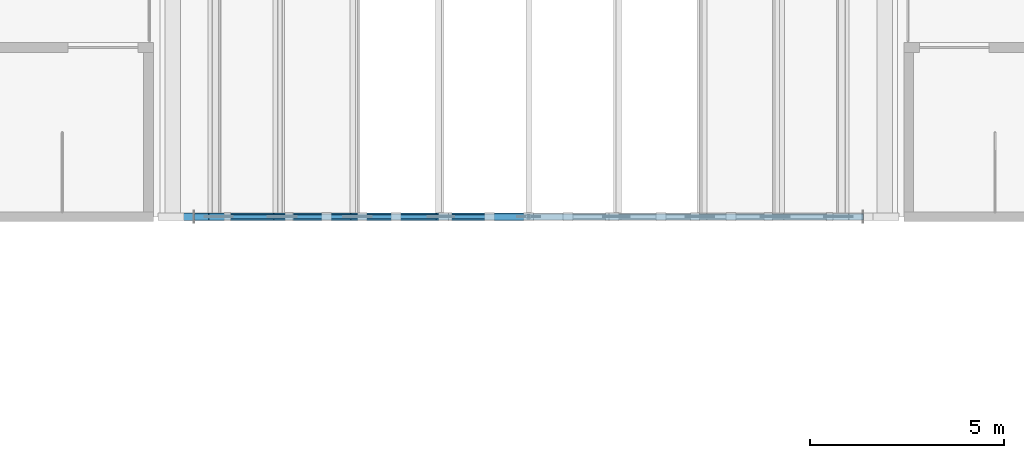
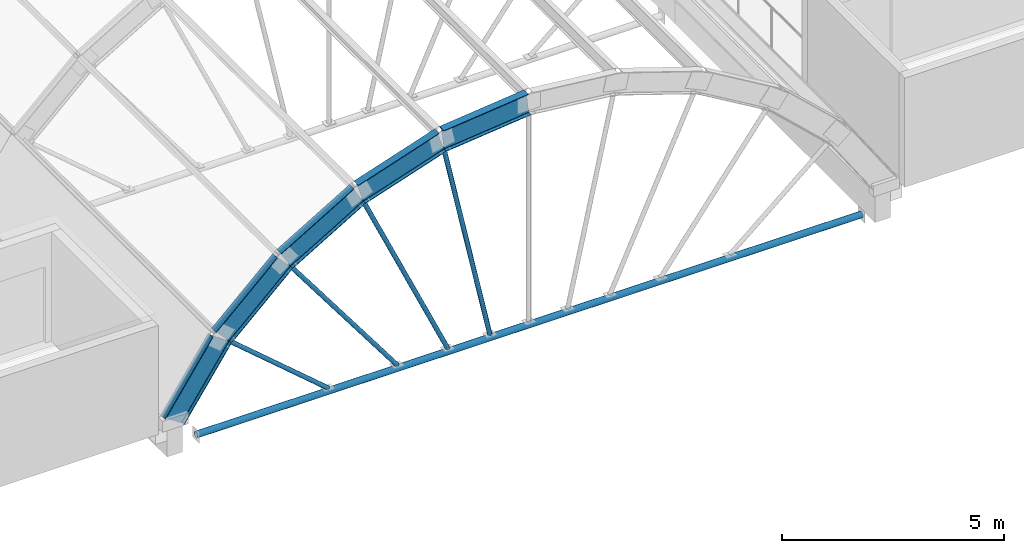
# One storey, part 9 of 79: 5 beams, 5 members.
"""IFC4 building model written with IfcOpenShell, lengths in metres."""

from ifc_helpers import new_model, si_unit, direction, frame, origin, origin_2d, place, context, subcontext, project, spatial, hollow_circle, i_section, extrude, material, material_profile, profile_set, type_object, element, save


model = new_model("IFC4")

# Units and contexts
model_context = context("Model", 3, precision=1e-05, world=origin(), true_north=direction((0.0, 1.0)))
body_context = subcontext(model_context, "Body", "Model", "MODEL_VIEW")
ifc_project = project(units=[si_unit("LENGTHUNIT", "METRE"), si_unit("AREAUNIT", "SQUARE_METRE"), si_unit("VOLUMEUNIT", "CUBIC_METRE"), si_unit("PLANEANGLEUNIT", "RADIAN"), si_unit("MASSUNIT", "GRAM", prefix="KILO")], contexts=[model_context])

# Site, building, storey
site_placement = place(None, origin())
site = spatial("IfcSite", under=ifc_project, at=site_placement, CompositionType="ELEMENT")
building_placement = place(site_placement, origin())
building = spatial("IfcBuilding", under=site, at=building_placement, Name="Guidao Yard Department Store", CompositionType="ELEMENT")
storey_placement = place(building_placement, frame((0.0, 0.0, 15.0)))
storey = spatial("IfcBuildingStorey", under=building, at=storey_placement, Name="L03", CompositionType="ELEMENT", Elevation=15.0)

# Members
ifc_material_1 = material(Name="Steel Q355B", Category="steel")
ifc_material_profile_1 = material_profile(ifc_material_1, hollow_circle(Radius=0.056884765625, WallThickness=0.006103515625, at=origin_2d()), Name="CHS 114x6")
ifc_profile_set_1 = profile_set([ifc_material_profile_1], Name="Steel Q355B")
member_type_1 = type_object("IfcMemberType", Name="CHS 114x6", PredefinedType="BRACE", material=ifc_profile_set_1)
member_1_placement = place(storey_placement, frame((84.77490234375, 45.0, -0.360107421875), z_axis=(-0.760338516722, 0.0, 0.649527012516), x_axis=(0.0, -1.0, 0.0)))
element("IfcMember", 1, at=member_1_placement, inside=storey, type_object=member_type_1, Name="Roof web strut C01-01", PredefinedType="BRACE", context=body_context, shape_type="SweptSolid", body=[
    extrude(hollow_circle(Radius=0.056884765625, WallThickness=0.006103515625, at=origin_2d()), origin(), (0.0, 0.0, 1.0), 3.357666015625),
])
member_2_placement = place(storey_placement, frame((86.575927734375, 45.0, -0.360107421875), z_axis=(-0.600934318152, 0.0, 0.799298408147), x_axis=(0.0, -1.0, 0.0)))
element("IfcMember", 2, at=member_2_placement, inside=storey, type_object=member_type_1, Name="Roof web strut C01-02", PredefinedType="BRACE", context=body_context, shape_type="SweptSolid", body=[
    extrude(hollow_circle(Radius=0.056884765625, WallThickness=0.006103515625, at=origin_2d()), origin(), (0.0, 0.0, 1.0), 4.596923828125),
])
member_3_placement = place(storey_placement, frame((87.890869140625, 45.0, -0.360107421875), z_axis=(-0.415142377249, 0.0, 0.909756454559), x_axis=(0.0, -1.0, 0.0)))
element("IfcMember", 3, at=member_3_placement, inside=storey, type_object=member_type_1, Name="Roof web strut C01-03", PredefinedType="BRACE", context=body_context, shape_type="SweptSolid", body=[
    extrude(hollow_circle(Radius=0.056884765625, WallThickness=0.006103515625, at=origin_2d()), origin(), (0.0, 0.0, 1.0), 5.271728515625),
])
member_4_placement = place(storey_placement, frame((88.98876953125, 45.0, -0.360107421875), z_axis=(-0.211899287995, 0.0, 0.977291508071), x_axis=(0.0, -1.0, 0.0)))
element("IfcMember", 4, at=member_4_placement, inside=storey, type_object=member_type_1, Name="Roof web strut C01-04", PredefinedType="BRACE", context=body_context, shape_type="SweptSolid", body=[
    extrude(hollow_circle(Radius=0.056884765625, WallThickness=0.006103515625, at=origin_2d()), origin(), (0.0, 0.0, 1.0), 5.619140625),
])
ifc_material_2 = material(Name="Steel Q355B", Category="steel")
ifc_material_profile_2 = material_profile(ifc_material_2, hollow_circle(Radius=0.083984375, WallThickness=0.008056640625, at=origin_2d()), Name="CHS 168x8")
ifc_profile_set_2 = profile_set([ifc_material_profile_2], Name="Steel Q355B")
member_type_2 = type_object("IfcMemberType", Name="CHS 168x8", PredefinedType="BRACE", material=ifc_profile_set_2)
member_5_placement = place(storey_placement, frame((81.35009765625, 45.0, -0.449951171875), z_axis=(1.0, 0.0, 0.0), x_axis=(0.0, 1.0, 0.0)))
element("IfcMember", 5, at=member_5_placement, inside=storey, type_object=member_type_2, Name="Roof tie rod C01", PredefinedType="BRACE", context=body_context, shape_type="SweptSolid", body=[
    extrude(hollow_circle(Radius=0.083984375, WallThickness=0.008056640625, at=origin_2d()), origin(), (0.0, 0.0, 1.0), 17.2998046875),
])

# Beams
ifc_material_3 = material(Name="Steel Q355B", Category="steel")
ifc_material_profile_3 = material_profile(ifc_material_3, i_section(OverallWidth=0.199951171875, OverallDepth=0.60009765625, WebThickness=0.010986328125, FlangeThickness=0.01708984375, FilletRadius=0.012939453125, at=origin_2d()), Name="HN 600x200x11x17")
ifc_profile_set_3 = profile_set([ifc_material_profile_3], Name="Steel Q355B")
beam_type = type_object("IfcBeamType", Name="HN 600x200x11x17", PredefinedType="BEAM", material=ifc_profile_set_3)
beam_1_placement = place(storey_placement, frame((80.73681640625, 45.0, 0.168701171875), z_axis=(0.561973245007, 0.0, 0.827155409761), x_axis=(0.0, 1.0, 0.0)))
element("IfcBeam", 6, at=beam_1_placement, inside=storey, type_object=beam_type, Name="Roof rib C01-01", PredefinedType="BEAM", context=body_context, shape_type="SweptSolid", body=[
    extrude(i_section(OverallWidth=0.199951171875, OverallDepth=0.60009765625, WebThickness=0.010986328125, FlangeThickness=0.01708984375, FilletRadius=0.012939453125, at=origin_2d()), origin(), (0.0, 0.0, 1.0), 2.201171875),
])
beam_2_placement = place(storey_placement, frame((82.016845703125, 45.0, 2.03955078125), z_axis=(0.729181254966, 0.0, 0.684320610099), x_axis=(0.0, 1.0, 0.0)))
element("IfcBeam", 7, at=beam_2_placement, inside=storey, type_object=beam_type, Name="Roof rib C01-02", PredefinedType="BEAM", context=body_context, shape_type="SweptSolid", body=[
    extrude(i_section(OverallWidth=0.199951171875, OverallDepth=0.60009765625, WebThickness=0.010986328125, FlangeThickness=0.01708984375, FilletRadius=0.012939453125, at=origin_2d()), origin(), (0.0, 0.0, 1.0), 2.182373046875),
])
beam_3_placement = place(storey_placement, frame((83.660400390625, 45.0, 3.572265625), z_axis=(0.859895907255, 0.0, 0.510469419933), x_axis=(0.0, 1.0, 0.0)))
element("IfcBeam", 8, at=beam_3_placement, inside=storey, type_object=beam_type, Name="Roof rib C01-03", PredefinedType="BEAM", context=body_context, shape_type="SweptSolid", body=[
    extrude(i_section(OverallWidth=0.199951171875, OverallDepth=0.60009765625, WebThickness=0.010986328125, FlangeThickness=0.01708984375, FilletRadius=0.012939453125, at=origin_2d()), origin(), (0.0, 0.0, 1.0), 2.19677734375),
])
beam_4_placement = place(storey_placement, frame((85.60791015625, 45.0, 4.720458984375), z_axis=(0.949091595418, 0.0, 0.31500022779), x_axis=(0.0, 1.0, 0.0)))
element("IfcBeam", 9, at=beam_4_placement, inside=storey, type_object=beam_type, Name="Roof rib C01-04", PredefinedType="BEAM", context=body_context, shape_type="SweptSolid", body=[
    extrude(i_section(OverallWidth=0.199951171875, OverallDepth=0.60009765625, WebThickness=0.010986328125, FlangeThickness=0.01708984375, FilletRadius=0.012939453125, at=origin_2d()), origin(), (0.0, 0.0, 1.0), 2.2080078125),
])
beam_5_placement = place(storey_placement, frame((87.766357421875, 45.0, 5.429443359375), z_axis=(0.994311656362, 0.0, 0.10650976492), x_axis=(0.0, 1.0, 0.0)))
element("IfcBeam", 10, at=beam_5_placement, inside=storey, type_object=beam_type, Name="Roof rib C01-05", PredefinedType="BEAM", context=body_context, shape_type="SweptSolid", body=[
    extrude(i_section(OverallWidth=0.199951171875, OverallDepth=0.60009765625, WebThickness=0.010986328125, FlangeThickness=0.01708984375, FilletRadius=0.012939453125, at=origin_2d()), origin(), (0.0, 0.0, 1.0), 2.21435546875),
])

save(model, "model.ifc")
